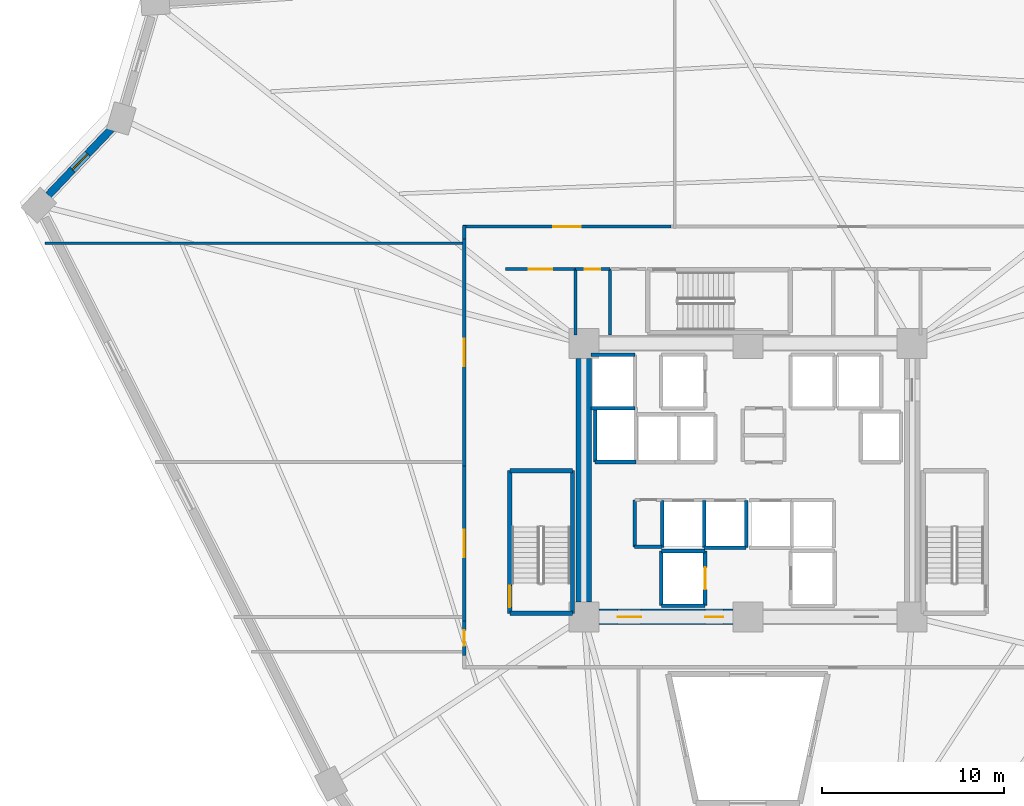
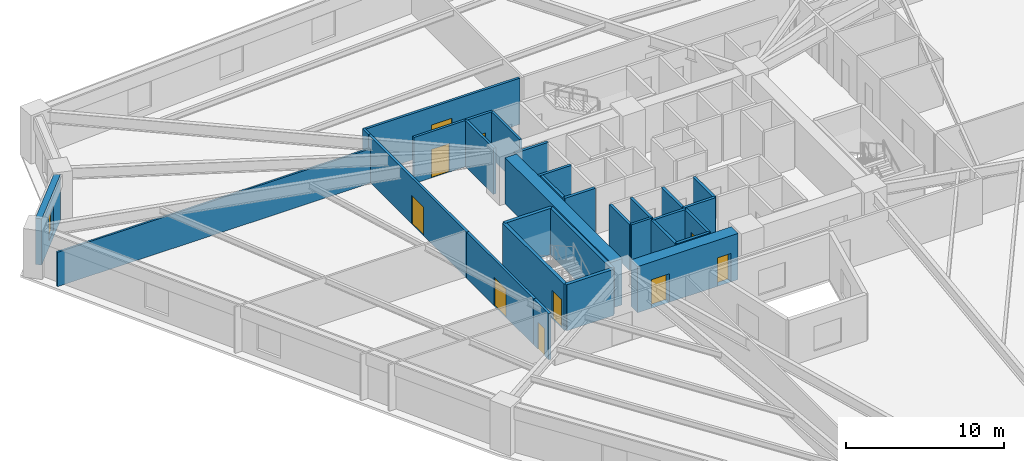
# One storey, part 4 of 8: 31 walls, 10 doors, 1 window, 11 openings.
"""IFC4 building model written with IfcOpenShell, lengths in metres."""

from ifc_helpers import new_model, si_unit, direction, frame, frame_2d, origin, place, context, subcontext, project, spatial, rectangle, extrude, source, transform, mapped, material, layer, layer_set, type_object, element, fill, save


model = new_model("IFC4")

# Units and contexts
model_context = context("Model", 3, precision=1e-05, world=origin(), true_north=direction((0.0, 1.0)))
body_context = subcontext(model_context, "Body", "Model", "MODEL_VIEW")
ifc_project = project(units=[si_unit("LENGTHUNIT", "METRE"), si_unit("AREAUNIT", "SQUARE_METRE"), si_unit("VOLUMEUNIT", "CUBIC_METRE"), si_unit("PLANEANGLEUNIT", "RADIAN"), si_unit("MASSUNIT", "GRAM", prefix="KILO")], contexts=[model_context])

# Site, building, storey
site_placement = place(None, origin())
site = spatial("IfcSite", under=ifc_project, at=site_placement, CompositionType="ELEMENT")
building_placement = place(site_placement, origin())
building = spatial("IfcBuilding", under=site, at=building_placement, Name="Liaohun Quay Tower", CompositionType="ELEMENT")
storey_placement = place(building_placement, frame((0.0, 0.0, 39.75)))
storey = spatial("IfcBuildingStorey", under=building, at=storey_placement, Name="L10", CompositionType="ELEMENT", Elevation=39.75)

# Wall, openings, doors
ifc_material_1 = material(Name="Concrete C60", Category="concrete")
ifc_layer_1 = layer(ifc_material_1, 0.85009765625, Name="Concrete C60", Category="concrete")
ifc_layer_set_1 = layer_set([ifc_layer_1], Name="Concrete C60")
wall_type_1 = type_object("IfcWallType", Name="WAL-COR-Z1", PredefinedType="SHEAR", material=ifc_layer_set_1)
wall_1_placement = place(storey_placement, frame((59.175048828125, 46.5, 0.0), z_axis=(0.0, 0.0, 1.0), x_axis=(-1.0, 0.0, 0.0)))
wall_1 = element("IfcWall", 1, at=wall_1_placement, inside=storey, type_object=wall_type_1, Name="L10 Central Core Shear Wall S-W", PredefinedType="SHEAR", context=body_context, shape_type="SweptSolid", body=[
    extrude(rectangle(XDim=7.35009765625, YDim=0.85009765625, at=frame_2d((3.675048828125, 0.0))), origin(), (0.0, 0.0, 1.0), 3.570068359375),
])
shared_shape_1 = source(origin(), body_context, "Body", "SweptSolid", [
    extrude(rectangle(XDim=1.300048828125, YDim=2.199951171875, at=frame_2d((0.64990234375, 1.10009765625))), frame((0.0, 0.43505859375, 0.0), z_axis=(0.0, -1.0, 0.0), x_axis=(1.0, 0.0, 0.0)), (0.0, 0.0, 1.0), 0.8701171875),
])
opening_1_placement = place(wall_1_placement, frame((5.02490234375, 0.0, 0.0)))
opening_1 = element("IfcOpeningElement", 2, at=opening_1_placement, cuts=wall_1, Name="Opening FD1", PredefinedType="OPENING", context=body_context, shape_type="MappedRepresentation", body=[
    mapped(shared_shape_1, transform((0.0, 0.0, 0.0), x_axis=(1.0, 0.0, 0.0), y_axis=(0.0, 1.0, 0.0), z_axis=(0.0, 0.0, 1.0), scale=1.0)),
])
shared_shape_2 = source(origin(), body_context, "Body", "SweptSolid", [
    extrude(rectangle(XDim=1.0, YDim=2.199951171875, at=frame_2d((0.5, 1.10009765625))), frame((0.0, 0.43505859375, 0.0), z_axis=(0.0, -1.0, 0.0), x_axis=(1.0, 0.0, 0.0)), (0.0, 0.0, 1.0), 0.8701171875),
])
opening_2_placement = place(wall_1_placement, frame((0.52490234375, 0.0, 0.0)))
opening_2 = element("IfcOpeningElement", 3, at=opening_2_placement, cuts=wall_1, Name="Opening FD2", PredefinedType="OPENING", context=body_context, shape_type="MappedRepresentation", body=[
    mapped(shared_shape_2, transform((0.0, 0.0, 0.0), x_axis=(1.0, 0.0, 0.0), y_axis=(0.0, 1.0, 0.0), z_axis=(0.0, 0.0, 1.0), scale=1.0)),
])
ifc_material_2 = material(Name="Galvanised steel smokeproof fire door", Category="steel")
door_type_1 = type_object("IfcDoorType", Name="DOR-FFL-1300", OperationType="NOTDEFINED", PredefinedType="DOOR", material=ifc_material_2)
shared_shape_3 = source(origin(), body_context, "Body", "SweptSolid", [
    extrude(rectangle(XDim=1.300048828125, YDim=2.199951171875, at=frame_2d((0.64990234375, 1.10009765625))), frame((0.0, 0.02490234375, 0.0), z_axis=(0.0, -1.0, 0.0), x_axis=(1.0, 0.0, 0.0)), (0.0, 0.0, 1.0), 0.050048828125),
])
door_1_placement = place(opening_1_placement, origin())
door_1 = element("IfcDoor", 4, at=door_1_placement, inside=storey, type_object=door_type_1, Name="L10 West Core Lift Lobby Smokeproof Door", OperationType="SINGLE_SWING_RIGHT", OverallHeight=2.199951171875, OverallWidth=1.300048828125, PredefinedType="DOOR", context=body_context, shape_type="MappedRepresentation", body=[
    mapped(shared_shape_3, transform((0.0, 0.0, 0.0), x_axis=(1.0, 0.0, 0.0), y_axis=(0.0, 1.0, 0.0), z_axis=(0.0, 0.0, 1.0), scale=1.0)),
])
fill(opening_1, door_1)
ifc_material_3 = material(Name="Galvanised steel smokeproof lobby fire door", Category="steel")
door_type_2 = type_object("IfcDoorType", Name="DOR-FFL-1000", OperationType="NOTDEFINED", PredefinedType="DOOR", material=ifc_material_3)
shared_shape_4 = source(origin(), body_context, "Body", "SweptSolid", [
    extrude(rectangle(XDim=1.0, YDim=2.199951171875, at=frame_2d((0.5, 1.10009765625))), frame((0.0, 0.02490234375, 0.0), z_axis=(0.0, -1.0, 0.0), x_axis=(1.0, 0.0, 0.0)), (0.0, 0.0, 1.0), 0.050048828125),
])
door_2_placement = place(opening_2_placement, origin())
door_2 = element("IfcDoor", 5, at=door_2_placement, inside=storey, type_object=door_type_2, Name="L10 South Firefighting Lobby Smokeproof Door", OperationType="SINGLE_SWING_LEFT", OverallHeight=2.199951171875, OverallWidth=1.0, PredefinedType="DOOR", context=body_context, shape_type="MappedRepresentation", body=[
    mapped(shared_shape_4, transform((0.0, 0.0, 0.0), x_axis=(1.0, 0.0, 0.0), y_axis=(0.0, 1.0, 0.0), z_axis=(0.0, 0.0, 1.0), scale=1.0)),
])
fill(opening_2, door_2)

# Wall
wall_2_placement = place(storey_placement, frame((51.0, 47.324951171875, 0.0), z_axis=(0.0, 0.0, 1.0), x_axis=(0.0, 1.0, 0.0)))
element("IfcWall", 6, at=wall_2_placement, inside=storey, type_object=wall_type_1, Name="L10 Central Core Shear Wall W", PredefinedType="SHEAR", context=body_context, shape_type="SweptSolid", body=[
    extrude(rectangle(XDim=13.35009765625, YDim=0.85009765625, at=frame_2d((6.675048828125, 0.0))), origin(), (0.0, 0.0, 1.0), 3.570068359375),
])

# Wall, opening, window
ifc_material_4 = material(Name="Precast concrete C50 insulated sandwich", Category="concrete")
ifc_layer_2 = layer(ifc_material_4, 0.419921875, Name="Precast concrete C50 insulated sandwich", Category="concrete")
ifc_layer_set_2 = layer_set([ifc_layer_2], Name="Precast concrete C50 insulated sandwich")
wall_type_2 = type_object("IfcWallType", Name="WAL-EXT-Z12", PredefinedType="SOLIDWALL", material=ifc_layer_set_2)
wall_3_placement = place(storey_placement, frame((25.113037109375, 73.283935546875, 0.0), z_axis=(0.0, 0.0, 1.0), x_axis=(-0.689357621712, -0.72442119612, 0.0)))
wall_3 = element("IfcWall", 7, at=wall_3_placement, inside=storey, type_object=wall_type_2, Name="L10 Brutalist Precast Pier Wall 09", PredefinedType="SOLIDWALL", context=body_context, shape_type="SweptSolid", body=[
    extrude(rectangle(XDim=5.041015625, YDim=0.419921875, at=frame_2d((2.5205078125, 0.0))), origin(), (0.0, 0.0, 1.0), 3.570068359375),
])
shared_shape_5 = source(origin(), body_context, "Body", "SweptSolid", [
    extrude(rectangle(XDim=1.199951171875, YDim=1.89990234375, at=frame_2d((0.60009765625, 0.949951171875))), frame((0.0, 0.219970703125, 0.0), z_axis=(0.0, -1.0, 0.0), x_axis=(1.0, 0.0, 0.0)), (0.0, 0.0, 1.0), 0.43994140625),
])
opening_3_placement = place(wall_3_placement, frame((1.9208984375, 0.0, 0.550048828125)))
opening_3 = element("IfcOpeningElement", 8, at=opening_3_placement, cuts=wall_3, Name="Opening W05", PredefinedType="OPENING", context=body_context, shape_type="MappedRepresentation", body=[
    mapped(shared_shape_5, transform((0.0, 0.0, 0.0), x_axis=(1.0, 0.0, 0.0), y_axis=(0.0, 1.0, 0.0), z_axis=(0.0, 0.0, 1.0), scale=1.0)),
])
ifc_material_5 = material(Name="Triple Low-E corner notch glazing", Category="glass")
window_type = type_object("IfcWindowType", Name="WIN-NOTCH", PartitioningType="SINGLE_PANEL", PredefinedType="WINDOW", material=ifc_material_5)
shared_shape_6 = source(origin(), body_context, "Body", "SweptSolid", [
    extrude(rectangle(XDim=1.199951171875, YDim=1.89990234375, at=frame_2d((0.60009765625, 0.949951171875))), frame((0.0, 0.030029296875, 0.0), z_axis=(0.0, -1.0, 0.0), x_axis=(1.0, 0.0, 0.0)), (0.0, 0.0, 1.0), 0.06005859375),
])
window_placement = place(opening_3_placement, origin())
window = element("IfcWindow", 9, at=window_placement, inside=storey, type_object=window_type, Name="L10 Corner Notch Window W05-09", OverallHeight=1.89990234375, OverallWidth=1.199951171875, PartitioningType="SINGLE_PANEL", PredefinedType="WINDOW", context=body_context, shape_type="MappedRepresentation", body=[
    mapped(shared_shape_6, transform((0.0, 0.0, 0.0), x_axis=(1.0, 0.0, 0.0), y_axis=(0.0, 1.0, 0.0), z_axis=(0.0, 0.0, 1.0), scale=1.0)),
])
fill(opening_3, window)

# Wall, opening, door
ifc_material_6 = material(Name="Autoclaved aerated concrete blockwork", Category="masonry")
ifc_layer_3 = layer(ifc_material_6, 0.179931640625, Name="Autoclaved aerated concrete blockwork", Category="masonry")
ifc_layer_set_3 = layer_set([ifc_layer_3], Name="Autoclaved aerated concrete blockwork")
wall_type_3 = type_object("IfcWallType", Name="WAL-PRT-COR", PredefinedType="PARTITIONING", material=ifc_layer_set_3)
wall_4_placement = place(storey_placement, frame((50.5400390625, 65.580078125, 0.0), z_axis=(0.0, 0.0, 1.0), x_axis=(1.0, 0.0, 0.0)))
wall_4 = element("IfcWall", 10, at=wall_4_placement, inside=storey, type_object=wall_type_3, Name="L10 Interior Partition Wall 007", PredefinedType="PARTITIONING", context=body_context, shape_type="SweptSolid", body=[
    extrude(rectangle(XDim=1.89990234375, YDim=0.179931640625, at=frame_2d((0.949951171875, 0.0))), origin(), (0.0, 0.0, 1.0), 3.570068359375),
])
shared_shape_7 = source(origin(), body_context, "Body", "SweptSolid", [
    extrude(rectangle(XDim=0.85009765625, YDim=2.10009765625, at=frame_2d((0.425048828125, 1.050048828125))), frame((0.0, 0.099853515625, 0.0), z_axis=(0.0, -1.0, 0.0), x_axis=(1.0, 0.0, 0.0)), (0.0, 0.0, 1.0), 0.199951171875),
])
opening_4_placement = place(wall_4_placement, frame((0.52490234375, 0.0, 0.0)))
opening_4 = element("IfcOpeningElement", 11, at=opening_4_placement, cuts=wall_4, Name="Opening AD1", PredefinedType="OPENING", context=body_context, shape_type="MappedRepresentation", body=[
    mapped(shared_shape_7, transform((0.0, 0.0, 0.0), x_axis=(1.0, 0.0, 0.0), y_axis=(0.0, 1.0, 0.0), z_axis=(0.0, 0.0, 1.0), scale=1.0)),
])
ifc_material_7 = material(Name="Steel riser inspection fire door", Category="steel")
door_type_3 = type_object("IfcDoorType", Name="DOR-SHF-850", OperationType="NOTDEFINED", PredefinedType="DOOR", material=ifc_material_7)
shared_shape_8 = source(origin(), body_context, "Body", "SweptSolid", [
    extrude(rectangle(XDim=0.85009765625, YDim=2.10009765625, at=frame_2d((0.425048828125, 1.050048828125))), frame((0.0, 0.02490234375, 0.0), z_axis=(0.0, -1.0, 0.0), x_axis=(1.0, 0.0, 0.0)), (0.0, 0.0, 1.0), 0.050048828125),
])
door_3_placement = place(opening_4_placement, origin())
door_3 = element("IfcDoor", 12, at=door_3_placement, inside=storey, type_object=door_type_3, Name="L10 North-West Riser Closet Door", OperationType="SINGLE_SWING_RIGHT", OverallHeight=2.10009765625, OverallWidth=0.85009765625, PredefinedType="DOOR", context=body_context, shape_type="MappedRepresentation", body=[
    mapped(shared_shape_8, transform((0.0, 0.0, 0.0), x_axis=(1.0, 0.0, 0.0), y_axis=(0.0, 1.0, 0.0), z_axis=(0.0, 0.0, 1.0), scale=1.0)),
])
fill(opening_4, door_3)

wall_5_placement = place(storey_placement, frame((46.699951171875, 65.580078125, 0.0), z_axis=(0.0, 0.0, 1.0), x_axis=(1.0, 0.0, 0.0)))
wall_5 = element("IfcWall", 13, at=wall_5_placement, inside=storey, type_object=wall_type_3, Name="L10 Interior Partition Wall 012", PredefinedType="PARTITIONING", context=body_context, shape_type="SweptSolid", body=[
    extrude(rectangle(XDim=3.840087890625, YDim=0.179931640625, at=frame_2d((1.919921875, 0.0))), origin(), (0.0, 0.0, 1.0), 3.570068359375),
])
shared_shape_9 = source(origin(), body_context, "Body", "SweptSolid", [
    extrude(rectangle(XDim=1.300048828125, YDim=2.199951171875, at=frame_2d((0.64990234375, 1.10009765625))), frame((0.0, 0.099853515625, 0.0), z_axis=(0.0, -1.0, 0.0), x_axis=(1.0, 0.0, 0.0)), (0.0, 0.0, 1.0), 0.199951171875),
])
opening_5_placement = place(wall_5_placement, frame((1.27001953125, 0.0, 0.0)))
opening_5 = element("IfcOpeningElement", 14, at=opening_5_placement, cuts=wall_5, Name="Opening FD1", PredefinedType="OPENING", context=body_context, shape_type="MappedRepresentation", body=[
    mapped(shared_shape_9, transform((0.0, 0.0, 0.0), x_axis=(1.0, 0.0, 0.0), y_axis=(0.0, 1.0, 0.0), z_axis=(0.0, 0.0, 1.0), scale=1.0)),
])
door_4_placement = place(opening_5_placement, origin())
door_4 = element("IfcDoor", 15, at=door_4_placement, inside=storey, type_object=door_type_1, Name="L10 West Core Vestibule Door", OperationType="SINGLE_SWING_LEFT", OverallHeight=2.199951171875, OverallWidth=1.300048828125, PredefinedType="DOOR", context=body_context, shape_type="MappedRepresentation", body=[
    mapped(shared_shape_3, transform((0.0, 0.0, 0.0), x_axis=(1.0, 0.0, 0.0), y_axis=(0.0, 1.0, 0.0), z_axis=(0.0, 0.0, 1.0), scale=1.0)),
])
fill(opening_5, door_4)

wall_6_placement = place(storey_placement, frame((44.3701171875, 67.909912109375, 0.0), z_axis=(0.0, 0.0, 1.0), x_axis=(1.0, 0.0, 0.0)))
wall_6 = element("IfcWall", 16, at=wall_6_placement, inside=storey, type_object=wall_type_3, Name="L10 Interior Partition Wall 016", PredefinedType="PARTITIONING", context=body_context, shape_type="SweptSolid", body=[
    extrude(rectangle(XDim=11.414794921875, YDim=0.179931640625, at=frame_2d((5.70751953125, 0.0))), origin(), (0.0, 0.0, 1.0), 3.570068359375),
])
shared_shape_10 = source(origin(), body_context, "Body", "SweptSolid", [
    extrude(rectangle(XDim=1.5, YDim=2.199951171875, at=frame_2d((0.75, 1.10009765625))), frame((0.0, 0.099853515625, 0.0), z_axis=(0.0, -1.0, 0.0), x_axis=(1.0, 0.0, 0.0)), (0.0, 0.0, 1.0), 0.199951171875),
])
opening_6_placement = place(wall_6_placement, frame((4.95703125, 0.0, 0.0)))
opening_6 = element("IfcOpeningElement", 17, at=opening_6_placement, cuts=wall_6, Name="Opening OD2", PredefinedType="OPENING", context=body_context, shape_type="MappedRepresentation", body=[
    mapped(shared_shape_10, transform((0.0, 0.0, 0.0), x_axis=(1.0, 0.0, 0.0), y_axis=(0.0, 1.0, 0.0), z_axis=(0.0, 0.0, 1.0), scale=1.0)),
])
ifc_material_8 = material(Name="Acoustic oak veneer double door")
door_type_4 = type_object("IfcDoorType", Name="DOR-OFF-1500", OperationType="DOUBLE_DOOR_SINGLE_SWING", PredefinedType="DOOR", material=ifc_material_8)
shared_shape_11 = source(origin(), body_context, "Body", "SweptSolid", [
    extrude(rectangle(XDim=1.5, YDim=2.199951171875, at=frame_2d((0.75, 1.10009765625))), frame((0.0, 0.02490234375, 0.0), z_axis=(0.0, -1.0, 0.0), x_axis=(1.0, 0.0, 0.0)), (0.0, 0.0, 1.0), 0.050048828125),
])
door_5_placement = place(opening_6_placement, origin())
door_5 = element("IfcDoor", 18, at=door_5_placement, inside=storey, type_object=door_type_4, Name="L10 Architectural Design Studio 03 Door", OperationType="DOUBLE_DOOR_SINGLE_SWING", OverallHeight=2.199951171875, OverallWidth=1.5, PredefinedType="DOOR", context=body_context, shape_type="MappedRepresentation", body=[
    mapped(shared_shape_11, transform((0.0, 0.0, 0.0), x_axis=(1.0, 0.0, 0.0), y_axis=(0.0, 1.0, 0.0), z_axis=(0.0, 0.0, 1.0), scale=1.0)),
])
fill(opening_6, door_5)

wall_7_placement = place(storey_placement, frame((44.43994140625, 54.784912109375, 0.0), z_axis=(0.0, 0.0, 1.0), x_axis=(0.0, 1.0, 0.0)))
wall_7 = element("IfcWall", 19, at=wall_7_placement, inside=storey, type_object=wall_type_3, Name="L10 Interior Partition Wall 017", PredefinedType="PARTITIONING", context=body_context, shape_type="SweptSolid", body=[
    extrude(rectangle(XDim=12.43017578125, YDim=0.179931640625, at=frame_2d((6.215087890625, 0.0))), origin(), (0.0, 0.0, 1.0), 3.570068359375),
])
opening_7_placement = place(wall_7_placement, frame((5.465087890625, 0.0, 0.0)))
opening_7 = element("IfcOpeningElement", 20, at=opening_7_placement, cuts=wall_7, Name="Opening OD2", PredefinedType="OPENING", context=body_context, shape_type="MappedRepresentation", body=[
    mapped(shared_shape_10, transform((0.0, 0.0, 0.0), x_axis=(1.0, 0.0, 0.0), y_axis=(0.0, 1.0, 0.0), z_axis=(0.0, 0.0, 1.0), scale=1.0)),
])
door_6_placement = place(opening_7_placement, origin())
door_6 = element("IfcDoor", 21, at=door_6_placement, inside=storey, type_object=door_type_4, Name="L10 Project Collaboration Studio 04 Door", OperationType="DOUBLE_DOOR_SINGLE_SWING", OverallHeight=2.199951171875, OverallWidth=1.5, PredefinedType="DOOR", context=body_context, shape_type="MappedRepresentation", body=[
    mapped(shared_shape_11, transform((0.0, 0.0, 0.0), x_axis=(1.0, 0.0, 0.0), y_axis=(0.0, 1.0, 0.0), z_axis=(0.0, 0.0, 1.0), scale=1.0)),
])
fill(opening_7, door_6)

wall_8_placement = place(storey_placement, frame((44.43994140625, 46.284912109375, 0.0), z_axis=(0.0, 0.0, 1.0), x_axis=(0.0, 1.0, 0.0)))
wall_8 = element("IfcWall", 22, at=wall_8_placement, inside=storey, type_object=wall_type_3, Name="L10 Interior Partition Wall 018", PredefinedType="PARTITIONING", context=body_context, shape_type="SweptSolid", body=[
    extrude(rectangle(XDim=8.5, YDim=0.179931640625, at=frame_2d((4.25, 0.0))), origin(), (0.0, 0.0, 1.0), 3.570068359375),
])
opening_8_placement = place(wall_8_placement, frame((3.5, 0.0, 0.0)))
opening_8 = element("IfcOpeningElement", 23, at=opening_8_placement, cuts=wall_8, Name="Opening OD2", PredefinedType="OPENING", context=body_context, shape_type="MappedRepresentation", body=[
    mapped(shared_shape_10, transform((0.0, 0.0, 0.0), x_axis=(1.0, 0.0, 0.0), y_axis=(0.0, 1.0, 0.0), z_axis=(0.0, 0.0, 1.0), scale=1.0)),
])
door_7_placement = place(opening_8_placement, origin())
door_7 = element("IfcDoor", 24, at=door_7_placement, inside=storey, type_object=door_type_4, Name="L10 Staff Daycare Nursery 05 Door", OperationType="DOUBLE_DOOR_SINGLE_SWING", OverallHeight=2.199951171875, OverallWidth=1.5, PredefinedType="DOOR", context=body_context, shape_type="MappedRepresentation", body=[
    mapped(shared_shape_11, transform((0.0, 0.0, 0.0), x_axis=(1.0, 0.0, 0.0), y_axis=(0.0, 1.0, 0.0), z_axis=(0.0, 0.0, 1.0), scale=1.0)),
])
fill(opening_8, door_7)

wall_9_placement = place(storey_placement, frame((44.43994140625, 44.385009765625, 0.0), z_axis=(0.0, 0.0, 1.0), x_axis=(0.0, 1.0, 0.0)))
wall_9 = element("IfcWall", 25, at=wall_9_placement, inside=storey, type_object=wall_type_3, Name="L10 Interior Partition Wall 019", PredefinedType="PARTITIONING", context=body_context, shape_type="SweptSolid", body=[
    extrude(rectangle(XDim=1.89990234375, YDim=0.179931640625, at=frame_2d((0.949951171875, 0.0))), origin(), (0.0, 0.0, 1.0), 3.570068359375),
])
opening_9_placement = place(wall_9_placement, frame((0.52490234375, 0.0, 0.0)))
opening_9 = element("IfcOpeningElement", 26, at=opening_9_placement, cuts=wall_9, Name="Opening AD1", PredefinedType="OPENING", context=body_context, shape_type="MappedRepresentation", body=[
    mapped(shared_shape_7, transform((0.0, 0.0, 0.0), x_axis=(1.0, 0.0, 0.0), y_axis=(0.0, 1.0, 0.0), z_axis=(0.0, 0.0, 1.0), scale=1.0)),
])
door_8_placement = place(opening_9_placement, origin())
door_8 = element("IfcDoor", 27, at=door_8_placement, inside=storey, type_object=door_type_3, Name="L10 Staff Tea Kitchen and Pantry 06 Door", OperationType="SINGLE_SWING_RIGHT", OverallHeight=2.10009765625, OverallWidth=0.85009765625, PredefinedType="DOOR", context=body_context, shape_type="MappedRepresentation", body=[
    mapped(shared_shape_8, transform((0.0, 0.0, 0.0), x_axis=(1.0, 0.0, 0.0), y_axis=(0.0, 1.0, 0.0), z_axis=(0.0, 0.0, 1.0), scale=1.0)),
])
fill(opening_9, door_8)

# Walls
wall_10_placement = place(storey_placement, frame((53.7900390625, 50.35009765625, 0.0), z_axis=(0.0, 0.0, 1.0), x_axis=(0.0, 1.0, 0.0)))
element("IfcWall", 28, at=wall_10_placement, inside=storey, type_object=wall_type_3, Name="L10 Interior Partition Wall 026", PredefinedType="PARTITIONING", context=body_context, shape_type="SweptSolid", body=[
    extrude(rectangle(XDim=2.56982421875, YDim=0.179931640625, at=frame_2d((1.284912109375, 0.0))), origin(), (0.0, 0.0, 1.0), 3.570068359375),
])
wall_11_placement = place(storey_placement, frame((53.7900390625, 50.35009765625, 0.0), z_axis=(0.0, 0.0, 1.0), x_axis=(1.0, 0.0, 0.0)))
element("IfcWall", 29, at=wall_11_placement, inside=storey, type_object=wall_type_3, Name="L10 Interior Partition Wall 027", PredefinedType="PARTITIONING", context=body_context, shape_type="SweptSolid", body=[
    extrude(rectangle(XDim=1.489990234375, YDim=0.179931640625, at=frame_2d((0.7451171875, 0.0))), origin(), (0.0, 0.0, 1.0), 3.570068359375),
])
for number, where, z_axis, x_axis, name in (
    (30, (50.5400390625, 61.949951171875, 0.0), (0.0, 0.0, 1.0), (0.0, 1.0, 0.0), "L10 Interior Partition Wall 033"),
    (31, (52.43994140625, 61.949951171875, 0.0), (0.0, 0.0, 1.0), (0.0, 1.0, 0.0), "L10 Interior Partition Wall 034"),
):
    element("IfcWall", number, at=place(storey_placement, frame(where, z_axis=z_axis, x_axis=x_axis)), inside=storey, type_object=wall_type_3, Name=name, PredefinedType="PARTITIONING", context=body_context, shape_type="SweptSolid", body=[
        extrude(rectangle(XDim=3.630126953125, YDim=0.179931640625, at=frame_2d((1.81494140625, 0.0))), origin(), (0.0, 0.0, 1.0), 3.570068359375),
    ])
wall_12_placement = place(storey_placement, frame((44.43994140625, 67.215087890625, 0.0), z_axis=(0.0, 0.0, 1.0), x_axis=(0.0, 1.0, 0.0)))
element("IfcWall", 32, at=wall_12_placement, inside=storey, type_object=wall_type_3, Name="L10 Interior Partition Wall 040", PredefinedType="PARTITIONING", context=body_context, shape_type="SweptSolid", body=[
    extrude(rectangle(XDim=0.764892578125, YDim=0.179931640625, at=frame_2d((0.38232421875, 0.0))), origin(), (0.0, 0.0, 1.0), 3.570068359375),
])
ifc_material_9 = material(Name="Gypsum board on twin steel studs", Category="steel")
ifc_layer_4 = layer(ifc_material_9, 0.139892578125, Name="Gypsum board on twin steel studs", Category="steel")
ifc_layer_set_4 = layer_set([ifc_layer_4], Name="Gypsum board on twin steel studs")
wall_type_4 = type_object("IfcWallType", Name="WAL-PRT-OFF", PredefinedType="PARTITIONING", material=ifc_layer_set_4)
wall_13_placement = place(storey_placement, frame((44.5400390625, 67.0, 0.0), z_axis=(0.0, 0.0, 1.0), x_axis=(-1.0, 0.0, 0.0)))
element("IfcWall", 33, at=wall_13_placement, inside=storey, type_object=wall_type_4, Name="L10 Interior Partition Wall 046", PredefinedType="PARTITIONING", context=body_context, shape_type="SweptSolid", body=[
    extrude(rectangle(XDim=23.083984375, YDim=0.139892578125, at=frame_2d((11.5419921875, 0.0))), origin(), (0.0, 0.0, 1.0), 2.655029296875),
])
ifc_material_10 = material(Name="Concrete C50", Category="concrete")
ifc_layer_5 = layer(ifc_material_10, 0.239990234375, Name="Concrete C50", Category="concrete")
ifc_layer_set_5 = layer_set([ifc_layer_5], Name="Concrete C50")
wall_type_5 = type_object("IfcWallType", Name="WAL-SHF-200", PredefinedType="SOLIDWALL", material=ifc_layer_set_5)
wall_14_placement = place(storey_placement, frame((46.93994140625, 46.699951171875, 0.0), z_axis=(0.0, 0.0, 1.0), x_axis=(1.0, 0.0, 0.0)))
element("IfcWall", 34, at=wall_14_placement, inside=storey, type_object=wall_type_5, Name="L10 Stairwell ST-1 Structural Core Wall S", PredefinedType="SOLIDWALL", context=body_context, shape_type="SweptSolid", body=[
    extrude(rectangle(XDim=3.43994140625, YDim=0.239990234375, at=frame_2d((1.719970703125, 0.0))), origin(), (0.0, 0.0, 1.0), 3.570068359375),
])
wall_15_placement = place(storey_placement, frame((50.3798828125, 46.699951171875, 0.0), z_axis=(0.0, 0.0, 1.0), x_axis=(0.0, 1.0, 0.0)))
element("IfcWall", 35, at=wall_15_placement, inside=storey, type_object=wall_type_5, Name="L10 Stairwell ST-1 Structural Core Wall E", PredefinedType="SOLIDWALL", context=body_context, shape_type="SweptSolid", body=[
    extrude(rectangle(XDim=7.820068359375, YDim=0.239990234375, at=frame_2d((3.91015625, 0.0))), origin(), (0.0, 0.0, 1.0), 3.570068359375),
])
wall_16_placement = place(storey_placement, frame((50.3798828125, 54.52001953125, 0.0), z_axis=(0.0, 0.0, 1.0), x_axis=(-1.0, 0.0, 0.0)))
element("IfcWall", 36, at=wall_16_placement, inside=storey, type_object=wall_type_5, Name="L10 Stairwell ST-1 Structural Core Wall N", PredefinedType="SOLIDWALL", context=body_context, shape_type="SweptSolid", body=[
    extrude(rectangle(XDim=3.43994140625, YDim=0.239990234375, at=frame_2d((1.719970703125, 0.0))), origin(), (0.0, 0.0, 1.0), 3.570068359375),
])

# Wall, opening, door
wall_17_placement = place(storey_placement, frame((46.93994140625, 54.52001953125, 0.0), z_axis=(0.0, 0.0, 1.0), x_axis=(0.0, -1.0, 0.0)))
wall_17 = element("IfcWall", 37, at=wall_17_placement, inside=storey, type_object=wall_type_5, Name="L10 Stairwell ST-1 Structural Core Wall W", PredefinedType="SOLIDWALL", context=body_context, shape_type="SweptSolid", body=[
    extrude(rectangle(XDim=7.820068359375, YDim=0.239990234375, at=frame_2d((3.91015625, 0.0))), origin(), (0.0, 0.0, 1.0), 3.570068359375),
])
shared_shape_12 = source(origin(), body_context, "Body", "SweptSolid", [
    extrude(rectangle(XDim=1.199951171875, YDim=2.199951171875, at=frame_2d((0.60009765625, 1.10009765625))), frame((0.0, 0.1298828125, 0.0), z_axis=(0.0, -1.0, 0.0), x_axis=(1.0, 0.0, 0.0)), (0.0, 0.0, 1.0), 0.260009765625),
])
opening_10_placement = place(wall_17_placement, frame((6.300048828125, 0.0, 0.0)))
opening_10 = element("IfcOpeningElement", 38, at=opening_10_placement, cuts=wall_17, Name="Opening SD1", PredefinedType="OPENING", context=body_context, shape_type="MappedRepresentation", body=[
    mapped(shared_shape_12, transform((0.0, 0.0, 0.0), x_axis=(1.0, 0.0, 0.0), y_axis=(0.0, 1.0, 0.0), z_axis=(0.0, 0.0, 1.0), scale=1.0)),
])
ifc_material_11 = material(Name="Galvanised steel fire door", Category="steel")
door_type_5 = type_object("IfcDoorType", Name="DOR-STR-1200", OperationType="NOTDEFINED", PredefinedType="DOOR", material=ifc_material_11)
shared_shape_13 = source(origin(), body_context, "Body", "SweptSolid", [
    extrude(rectangle(XDim=1.199951171875, YDim=2.199951171875, at=frame_2d((0.60009765625, 1.10009765625))), frame((0.0, 0.02490234375, 0.0), z_axis=(0.0, -1.0, 0.0), x_axis=(1.0, 0.0, 0.0)), (0.0, 0.0, 1.0), 0.050048828125),
])
door_9_placement = place(opening_10_placement, origin())
door_9 = element("IfcDoor", 39, at=door_9_placement, inside=storey, type_object=door_type_5, Name="L10 Protected Stair ST-1 Fire Door", OperationType="SINGLE_SWING_LEFT", OverallHeight=2.199951171875, OverallWidth=1.199951171875, PredefinedType="DOOR", context=body_context, shape_type="MappedRepresentation", body=[
    mapped(shared_shape_13, transform((0.0, 0.0, 0.0), x_axis=(1.0, 0.0, 0.0), y_axis=(0.0, 1.0, 0.0), z_axis=(0.0, 0.0, 1.0), scale=1.0)),
])
fill(opening_10, door_9)

# Wall
wall_18_placement = place(storey_placement, frame((55.25, 47.1201171875, 0.0), z_axis=(0.0, 0.0, 1.0), x_axis=(1.0, 0.0, 0.0)))
element("IfcWall", 40, at=wall_18_placement, inside=storey, type_object=wall_type_5, Name="L10 Lift FF-01 Hoistway Wall S", PredefinedType="SOLIDWALL", context=body_context, shape_type="SweptSolid", body=[
    extrude(rectangle(XDim=2.39990234375, YDim=0.199951171875, at=frame_2d((1.199951171875, 0.0))), origin(), (0.0, 0.0, 1.0), 3.570068359375),
])

# Wall, opening, door
wall_19_placement = place(storey_placement, frame((57.64990234375, 47.1201171875, 0.0), z_axis=(0.0, 0.0, 1.0), x_axis=(0.0, 1.0, 0.0)))
wall_19 = element("IfcWall", 41, at=wall_19_placement, inside=storey, type_object=wall_type_5, Name="L10 Lift FF-01 Hoistway Wall E", PredefinedType="SOLIDWALL", context=body_context, shape_type="SweptSolid", body=[
    extrude(rectangle(XDim=3.0, YDim=0.199951171875, at=frame_2d((1.5, 0.0))), origin(), (0.0, 0.0, 1.0), 3.570068359375),
])
shared_shape_14 = source(origin(), body_context, "Body", "SweptSolid", [
    extrude(rectangle(XDim=1.199951171875, YDim=2.300048828125, at=frame_2d((0.60009765625, 1.14990234375))), frame((0.0, 0.10986328125, 0.0), z_axis=(0.0, -1.0, 0.0), x_axis=(1.0, 0.0, 0.0)), (0.0, 0.0, 1.0), 0.219970703125),
])
opening_11_placement = place(wall_19_placement, frame((0.89990234375, 0.0, 0.0)))
opening_11 = element("IfcOpeningElement", 42, at=opening_11_placement, cuts=wall_19, Name="Opening LD2", PredefinedType="OPENING", context=body_context, shape_type="MappedRepresentation", body=[
    mapped(shared_shape_14, transform((0.0, 0.0, 0.0), x_axis=(1.0, 0.0, 0.0), y_axis=(0.0, 1.0, 0.0), z_axis=(0.0, 0.0, 1.0), scale=1.0)),
])
ifc_material_12 = material(Name="Brushed stainless steel stretcher landing door", Category="steel")
door_type_6 = type_object("IfcDoorType", Name="DOR-LFT-1200", OperationType="SLIDING_TO_LEFT", PredefinedType="DOOR", material=ifc_material_12)
shared_shape_15 = source(origin(), body_context, "Body", "SweptSolid", [
    extrude(rectangle(XDim=1.199951171875, YDim=2.300048828125, at=frame_2d((0.60009765625, 1.14990234375))), frame((0.0, 0.02490234375, 0.0), z_axis=(0.0, -1.0, 0.0), x_axis=(1.0, 0.0, 0.0)), (0.0, 0.0, 1.0), 0.050048828125),
])
door_10_placement = place(opening_11_placement, origin())
door_10 = element("IfcDoor", 43, at=door_10_placement, inside=storey, type_object=door_type_6, Name="L10 Lift FF-01 Sliding Landing Door", OperationType="SLIDING_TO_LEFT", OverallHeight=2.300048828125, OverallWidth=1.199951171875, PredefinedType="DOOR", context=body_context, shape_type="MappedRepresentation", body=[
    mapped(shared_shape_15, transform((0.0, 0.0, 0.0), x_axis=(1.0, 0.0, 0.0), y_axis=(0.0, 1.0, 0.0), z_axis=(0.0, 0.0, 1.0), scale=1.0)),
])
fill(opening_11, door_10)

# Walls
wall_20_placement = place(storey_placement, frame((57.64990234375, 50.1201171875, 0.0), z_axis=(0.0, 0.0, 1.0), x_axis=(-1.0, 0.0, 0.0)))
element("IfcWall", 44, at=wall_20_placement, inside=storey, type_object=wall_type_5, Name="L10 Lift FF-01 Hoistway Wall N", PredefinedType="SOLIDWALL", context=body_context, shape_type="SweptSolid", body=[
    extrude(rectangle(XDim=2.39990234375, YDim=0.199951171875, at=frame_2d((1.199951171875, 0.0))), origin(), (0.0, 0.0, 1.0), 3.570068359375),
])
wall_21_placement = place(storey_placement, frame((55.25, 50.1201171875, 0.0), z_axis=(0.0, 0.0, 1.0), x_axis=(0.0, -1.0, 0.0)))
element("IfcWall", 45, at=wall_21_placement, inside=storey, type_object=wall_type_5, Name="L10 Lift FF-01 Hoistway Wall W", PredefinedType="SOLIDWALL", context=body_context, shape_type="SweptSolid", body=[
    extrude(rectangle(XDim=3.0, YDim=0.199951171875, at=frame_2d((1.5, 0.0))), origin(), (0.0, 0.0, 1.0), 3.570068359375),
])
for number, where, z_axis, x_axis, name in (
    (46, (51.39990234375, 57.949951171875, 0.0), (0.0, 0.0, 1.0), (1.0, 0.0, 0.0), "L10 Lift SH-01 Hoistway Wall S"),
    (47, (53.800048828125, 60.8798828125, 0.0), (0.0, 0.0, 1.0), (-1.0, 0.0, 0.0), "L10 Lift SH-01 Hoistway Wall N"),
):
    element("IfcWall", number, at=place(storey_placement, frame(where, z_axis=z_axis, x_axis=x_axis)), inside=storey, type_object=wall_type_5, Name=name, PredefinedType="SOLIDWALL", context=body_context, shape_type="SweptSolid", body=[
        extrude(rectangle(XDim=2.400146484375, YDim=0.199951171875, at=frame_2d((1.2001953125, 0.0))), origin(), (0.0, 0.0, 1.0), 3.570068359375),
    ])
wall_22_placement = place(storey_placement, frame((51.6201171875, 55.0, 0.0), z_axis=(0.0, 0.0, 1.0), x_axis=(1.0, 0.0, 0.0)))
element("IfcWall", 48, at=wall_22_placement, inside=storey, type_object=wall_type_5, Name="L10 Lift SH-02 Hoistway Wall S", PredefinedType="SOLIDWALL", context=body_context, shape_type="SweptSolid", body=[
    extrude(rectangle(XDim=2.22998046875, YDim=0.199951171875, at=frame_2d((1.114990234375, 0.0))), origin(), (0.0, 0.0, 1.0), 3.570068359375),
])
wall_23_placement = place(storey_placement, frame((51.6201171875, 58.0, 0.0), z_axis=(0.0, 0.0, 1.0), x_axis=(0.0, -1.0, 0.0)))
element("IfcWall", 49, at=wall_23_placement, inside=storey, type_object=wall_type_5, Name="L10 Lift SH-02 Hoistway Wall W", PredefinedType="SOLIDWALL", context=body_context, shape_type="SweptSolid", body=[
    extrude(rectangle(XDim=3.0, YDim=0.199951171875, at=frame_2d((1.5, 0.0))), origin(), (0.0, 0.0, 1.0), 3.570068359375),
])
for number, where, z_axis, x_axis, name in (
    (50, (57.60009765625, 50.300048828125, 0.0), (0.0, 0.0, 1.0), (0.0, 1.0, 0.0), "L10 Lift PL-1A Hoistway Wall E"),
    (51, (55.300048828125, 52.89990234375, 0.0), (0.0, 0.0, 1.0), (0.0, -1.0, 0.0), "L10 Lift PL-1A Hoistway Wall W"),
):
    element("IfcWall", number, at=place(storey_placement, frame(where, z_axis=z_axis, x_axis=x_axis)), inside=storey, type_object=wall_type_5, Name=name, PredefinedType="SOLIDWALL", context=body_context, shape_type="SweptSolid", body=[
        extrude(rectangle(XDim=2.599853515625, YDim=0.199951171875, at=frame_2d((1.2998046875, 0.0))), origin(), (0.0, 0.0, 1.0), 3.570068359375),
    ])
wall_24_placement = place(storey_placement, frame((57.60009765625, 50.300048828125, 0.0), z_axis=(0.0, 0.0, 1.0), x_axis=(1.0, 0.0, 0.0)))
element("IfcWall", 52, at=wall_24_placement, inside=storey, type_object=wall_type_5, Name="L10 Lift PL-1B Hoistway Wall S", PredefinedType="SOLIDWALL", context=body_context, shape_type="SweptSolid", body=[
    extrude(rectangle(XDim=2.2998046875, YDim=0.199951171875, at=frame_2d((1.14990234375, 0.0))), origin(), (0.0, 0.0, 1.0), 3.570068359375),
])
wall_25_placement = place(storey_placement, frame((59.89990234375, 50.300048828125, 0.0), z_axis=(0.0, 0.0, 1.0), x_axis=(0.0, 1.0, 0.0)))
element("IfcWall", 53, at=wall_25_placement, inside=storey, type_object=wall_type_5, Name="L10 Lift PL-1B Hoistway Wall E", PredefinedType="SOLIDWALL", context=body_context, shape_type="SweptSolid", body=[
    extrude(rectangle(XDim=2.599853515625, YDim=0.199951171875, at=frame_2d((1.2998046875, 0.0))), origin(), (0.0, 0.0, 1.0), 3.570068359375),
])

save(model, "model.ifc")
